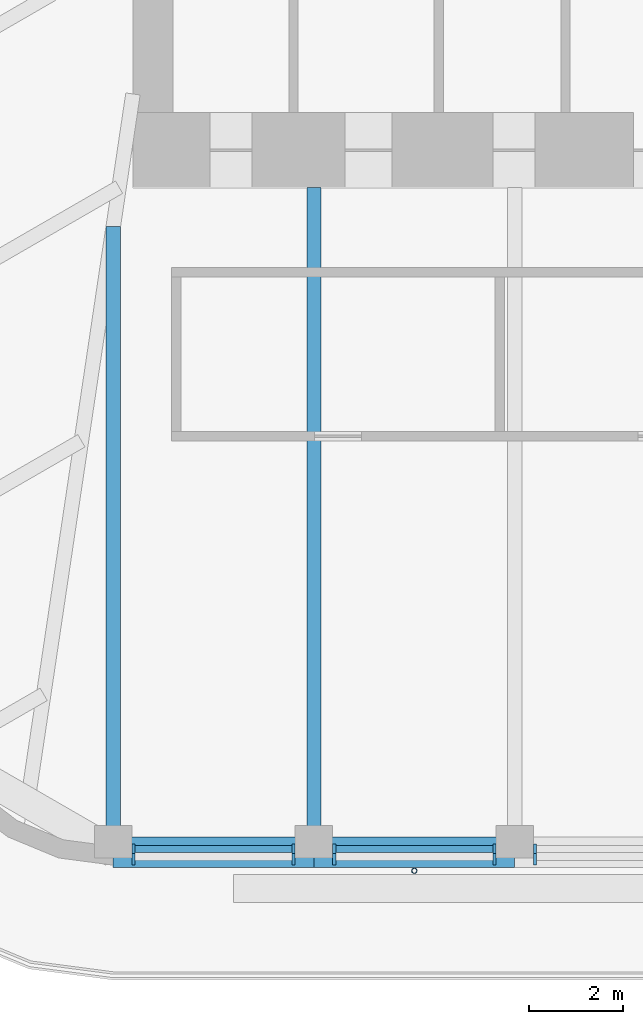
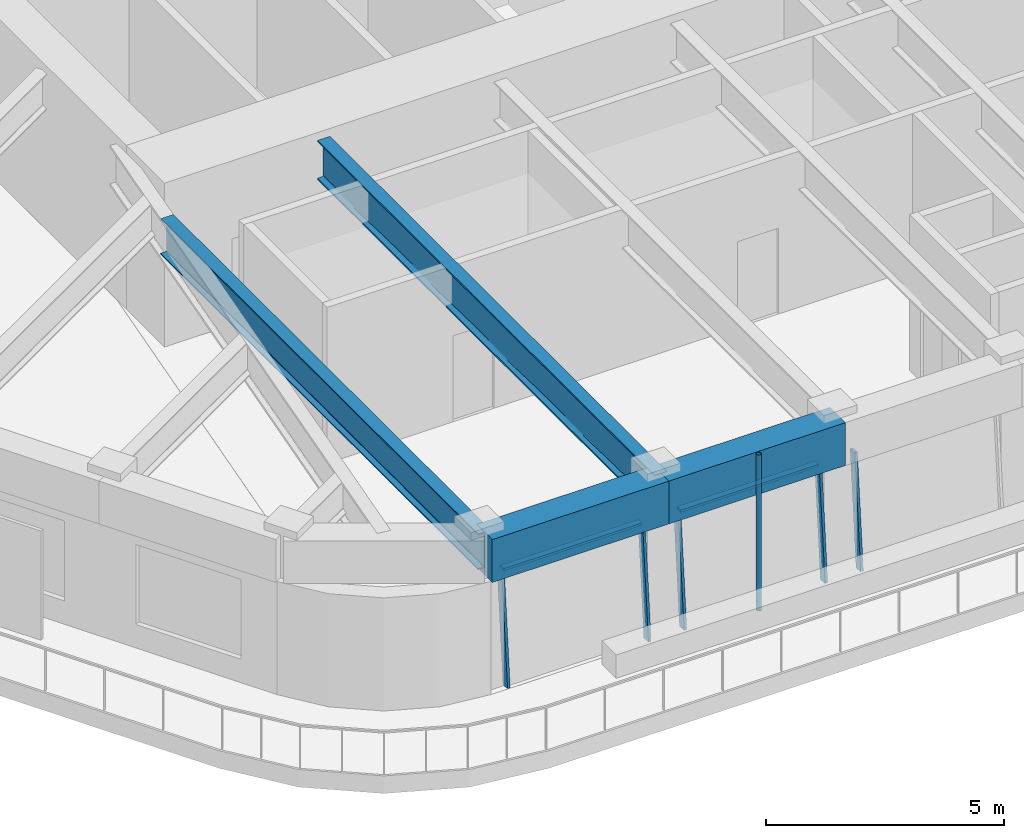
# One storey, part 2 of 20: 8 members, 4 beams, 3 elements without a shape of their own.
"""IFC4 building model written with IfcOpenShell, lengths in metres."""

from ifc_helpers import new_model, si_unit, direction, frame, origin, origin_2d, place, context, subcontext, project, spatial, rectangle, hollow_circle, i_section, extrude, material, material_profile, profile_set, type_object, element, aggregate, save


model = new_model("IFC4")

# Units and contexts
model_context = context("Model", 3, precision=1e-05, world=origin(), true_north=direction((0.0, 1.0)))
body_context = subcontext(model_context, "Body", "Model", "MODEL_VIEW")
ifc_project = project(units=[si_unit("LENGTHUNIT", "METRE"), si_unit("AREAUNIT", "SQUARE_METRE"), si_unit("VOLUMEUNIT", "CUBIC_METRE"), si_unit("PLANEANGLEUNIT", "RADIAN"), si_unit("MASSUNIT", "GRAM", prefix="KILO")], contexts=[model_context])

# Site, building, storey
site_placement = place(None, origin())
site = spatial("IfcSite", under=ifc_project, at=site_placement, CompositionType="ELEMENT")
building_placement = place(site_placement, origin())
building = spatial("IfcBuilding", under=site, at=building_placement, Name="Tarfa Lantern Tower", CompositionType="ELEMENT")
storey_placement = place(building_placement, frame((0.0, 0.0, 378.699951171875)))
storey = spatial("IfcBuildingStorey", under=building, at=storey_placement, Name="L86", CompositionType="ELEMENT", Elevation=378.699951171875)

# Curtain wall, members
ifc_material_1 = material(Name="Aluminium framed curtain wall", Category="aluminium")
curtain_wall_type = type_object("IfcCurtainWallType", Name="CW4 CANTED GLAZING EXECUTIVE ZONE 2900", PredefinedType="USERDEFINED", material=ifc_material_1)
curtain_wall_1_placement = place(storey_placement, origin())
curtain_wall_1 = element("IfcCurtainWall", 1, at=curtain_wall_1_placement, inside=storey, type_object=curtain_wall_type, Name="CW4 S L86", ObjectType="CURTAIN WALL", PredefinedType="USERDEFINED")
ifc_material_2 = material(Name="Aluminium mullion", Category="aluminium")
ifc_material_profile_1 = material_profile(ifc_material_2, rectangle(XDim=0.06494140625, YDim=0.199951171875, at=origin_2d()), Name="AL MULLION 65x200")
ifc_profile_set_1 = profile_set([ifc_material_profile_1], Name="Aluminium mullion")
member_type_1 = type_object("IfcMemberType", Name="CWM1 MULLION 65x200", PredefinedType="MULLION", material=ifc_profile_set_1)
member_1_placement = place(storey_placement, frame((-12.41357421875, -26.64990234375, 0.0), z_axis=(0.0, 0.085884035992, 0.996305140186), x_axis=(-1.0, 0.0, 0.0)))
member_1 = element("IfcMember", 2, at=member_1_placement, type_object=member_type_1, Name="CW4 mullion 1", PredefinedType="MULLION", context=body_context, shape_type="SweptSolid", body=[
    extrude(rectangle(XDim=0.06494140625, YDim=0.199951171875, at=origin_2d()), origin(), (0.0, 0.0, 1.0), 2.910888671875),
])
member_2_placement = place(storey_placement, frame((-8.99658203125, -26.64990234375, 0.0), z_axis=(0.0, 0.085884035992, 0.996305140186), x_axis=(-1.0, 0.0, 0.0)))
member_2 = element("IfcMember", 3, at=member_2_placement, type_object=member_type_1, Name="CW4 mullion 2", PredefinedType="MULLION", context=body_context, shape_type="SweptSolid", body=[
    extrude(rectangle(XDim=0.06494140625, YDim=0.199951171875, at=origin_2d()), origin(), (0.0, 0.0, 1.0), 2.910888671875),
])

curtain_wall_2_placement = place(storey_placement, origin())
curtain_wall_2 = element("IfcCurtainWall", 4, at=curtain_wall_2_placement, inside=storey, type_object=curtain_wall_type, Name="CW4 S L86", ObjectType="CURTAIN WALL", PredefinedType="USERDEFINED")
member_3_placement = place(storey_placement, frame((-8.131591796875, -26.64990234375, 0.0), z_axis=(0.0, 0.085884035992, 0.996305140186), x_axis=(-1.0, 0.0, 0.0)))
member_3 = element("IfcMember", 5, at=member_3_placement, type_object=member_type_1, Name="CW4 mullion 1", PredefinedType="MULLION", context=body_context, shape_type="SweptSolid", body=[
    extrude(rectangle(XDim=0.06494140625, YDim=0.199951171875, at=origin_2d()), origin(), (0.0, 0.0, 1.0), 2.910888671875),
])
member_4_placement = place(storey_placement, frame((-4.714599609375, -26.64990234375, 0.0), z_axis=(0.0, 0.085884035992, 0.996305140186), x_axis=(-1.0, 0.0, 0.0)))
member_4 = element("IfcMember", 6, at=member_4_placement, type_object=member_type_1, Name="CW4 mullion 2", PredefinedType="MULLION", context=body_context, shape_type="SweptSolid", body=[
    extrude(rectangle(XDim=0.06494140625, YDim=0.199951171875, at=origin_2d()), origin(), (0.0, 0.0, 1.0), 2.910888671875),
])

# Curtain wall, member
curtain_wall_3_placement = place(storey_placement, origin())
curtain_wall_3 = element("IfcCurtainWall", 7, at=curtain_wall_3_placement, inside=storey, type_object=curtain_wall_type, Name="CW4 S L86", ObjectType="CURTAIN WALL", PredefinedType="USERDEFINED")
member_5_placement = place(storey_placement, frame((-3.849609375, -26.64990234375, 0.0), z_axis=(0.0, 0.085884035992, 0.996305140186), x_axis=(-1.0, 0.0, 0.0)))
member_5 = element("IfcMember", 8, at=member_5_placement, type_object=member_type_1, Name="CW4 mullion 1", PredefinedType="MULLION", context=body_context, shape_type="SweptSolid", body=[
    extrude(rectangle(XDim=0.06494140625, YDim=0.199951171875, at=origin_2d()), origin(), (0.0, 0.0, 1.0), 2.910888671875),
])
aggregate(curtain_wall_3, [member_5])

# Member
ifc_material_3 = material(Name="Aluminium transom", Category="aluminium")
ifc_material_profile_2 = material_profile(ifc_material_3, rectangle(XDim=0.14990234375, YDim=0.06494140625, at=origin_2d()), Name="AL TRANSOM 150x65")
ifc_profile_set_2 = profile_set([ifc_material_profile_2], Name="Aluminium transom")
member_type_2 = type_object("IfcMemberType", Name="CWT1 TRANSOM 150x65", PredefinedType="USERDEFINED", material=ifc_profile_set_2)
member_6_placement = place(storey_placement, frame((-12.381103515625, -26.40283203125, 2.867431640625), z_axis=(1.0, 0.0, 0.0), x_axis=(0.0, 1.0, 0.0)))
member_6 = element("IfcMember", 9, at=member_6_placement, type_object=member_type_2, Name="CW4 transom 1.2", ObjectType="TRANSOM", PredefinedType="USERDEFINED", context=body_context, shape_type="SweptSolid", body=[
    extrude(rectangle(XDim=0.14990234375, YDim=0.06494140625, at=origin_2d()), origin(), (0.0, 0.0, 1.0), 3.35205078125),
])

aggregate(curtain_wall_1, [member_1, member_2, member_6])

member_7_placement = place(storey_placement, frame((-8.09912109375, -26.40283203125, 2.867431640625), z_axis=(1.0, 0.0, 0.0), x_axis=(0.0, 1.0, 0.0)))
member_7 = element("IfcMember", 10, at=member_7_placement, type_object=member_type_2, Name="CW4 transom 1.2", ObjectType="TRANSOM", PredefinedType="USERDEFINED", context=body_context, shape_type="SweptSolid", body=[
    extrude(rectangle(XDim=0.14990234375, YDim=0.06494140625, at=origin_2d()), origin(), (0.0, 0.0, 1.0), 3.35205078125),
])

aggregate(curtain_wall_2, [member_3, member_4, member_7])

# Beams
ifc_material_4 = material(Name="Concrete C80/95", Category="concrete")
ifc_material_profile_3 = material_profile(ifc_material_4, rectangle(XDim=0.64990234375, YDim=1.10009765625, at=origin_2d()), Name="RC 650x1100")
ifc_profile_set_3 = profile_set([ifc_material_profile_3], Name="Concrete C80/95")
beam_type_1 = type_object("IfcBeamType", Name="EB4 RC 650x1100", PredefinedType="SPANDREL", material=ifc_profile_set_3)
for number, where, z_axis, x_axis, name in (
    (11, (-12.845947265625, -26.469970703125, 3.449951171875), (1.0, 0.0, 0.0), (0.0, 1.0, 0.0), "Edge beam S0"),
    (12, (-8.56396484375, -26.469970703125, 3.449951171875), (1.0, 0.0, 0.0), (0.0, 1.0, 0.0), "Edge beam S1"),
):
    element("IfcBeam", number, at=place(storey_placement, frame(where, z_axis=z_axis, x_axis=x_axis)), inside=storey, type_object=beam_type_1, Name=name, PredefinedType="SPANDREL", context=body_context, shape_type="SweptSolid", body=[
        extrude(rectangle(XDim=0.64990234375, YDim=1.10009765625, at=origin_2d()), origin(), (0.0, 0.0, 1.0), 4.281982421875),
    ])

# Member
ifc_material_5 = material(Name="Steel S355", Category="steel")
ifc_material_profile_4 = material_profile(ifc_material_5, hollow_circle(Radius=0.05712890625, WallThickness=0.00634765625, at=origin_2d()), Name="CHS114.3x6.3")
ifc_profile_set_4 = profile_set([ifc_material_profile_4], Name="Steel S355")
member_type_3 = type_object("IfcMemberType", Name="TR1 GREEN WALL TRELLIS CHS114.3x6.3", PredefinedType="USERDEFINED", material=ifc_profile_set_4)
member_8_placement = place(storey_placement, frame((-6.423095703125, -26.8701171875, 0.0), z_axis=(0.0, 0.0, 1.0), x_axis=(1.0, 0.0, 0.0)))
element("IfcMember", 13, at=member_8_placement, inside=storey, type_object=member_type_3, Name="Trellis post S 1", ObjectType="TRELLIS", PredefinedType="USERDEFINED", context=body_context, shape_type="SweptSolid", body=[
    extrude(hollow_circle(Radius=0.05712890625, WallThickness=0.00634765625, at=origin_2d()), origin(), (0.0, 0.0, 1.0), 4.0),
])

# Beams
ifc_material_6 = material(Name="Steel S460M", Category="steel")
ifc_material_profile_5 = material_profile(ifc_material_6, i_section(OverallWidth=0.302001953125, OverallDepth=1.008056640625, WebThickness=0.02099609375, FlangeThickness=0.0400390625, FilletRadius=0.030029296875, at=origin_2d()), Name="UB1016x305x349")
ifc_profile_set_5 = profile_set([ifc_material_profile_5], Name="Steel S460M")
beam_type_2 = type_object("IfcBeamType", Name="UB1016x305x349", PredefinedType="BEAM", material=ifc_profile_set_5)
beam_1_placement = place(storey_placement, frame((-8.56396484375, -26.469970703125, 3.49609375), z_axis=(0.0, 1.0, 0.0), x_axis=(-1.0, 0.0, 0.0)))
element("IfcBeam", 14, at=beam_1_placement, inside=storey, type_object=beam_type_2, Name="Floor beam S1", PredefinedType="BEAM", context=body_context, shape_type="SweptSolid", body=[
    extrude(i_section(OverallWidth=0.302001953125, OverallDepth=1.008056640625, WebThickness=0.02099609375, FlangeThickness=0.0400390625, FilletRadius=0.030029296875, at=origin_2d()), origin(), (0.0, 0.0, 1.0), 14.169921875),
])
ifc_material_profile_6 = material_profile(ifc_material_6, i_section(OverallWidth=0.305419921875, OverallDepth=0.91845703125, WebThickness=0.017333984375, FlangeThickness=0.02783203125, FilletRadius=0.01904296875, at=origin_2d()), Name="UB914x305x253")
ifc_profile_set_6 = profile_set([ifc_material_profile_6], Name="Steel S460M")
beam_type_3 = type_object("IfcBeamType", Name="UB914x305x253", PredefinedType="BEAM", material=ifc_profile_set_6)
beam_2_placement = place(storey_placement, frame((-12.845947265625, -26.469970703125, 3.540771484375), z_axis=(0.0, 1.0, 0.0), x_axis=(-1.0, 0.0, 0.0)))
element("IfcBeam", 15, at=beam_2_placement, inside=storey, type_object=beam_type_3, Name="Floor beam S0", PredefinedType="BEAM", context=body_context, shape_type="SweptSolid", body=[
    extrude(i_section(OverallWidth=0.305419921875, OverallDepth=0.91845703125, WebThickness=0.017333984375, FlangeThickness=0.02783203125, FilletRadius=0.01904296875, at=origin_2d()), origin(), (0.0, 0.0, 1.0), 13.33935546875),
])

save(model, "model.ifc")
